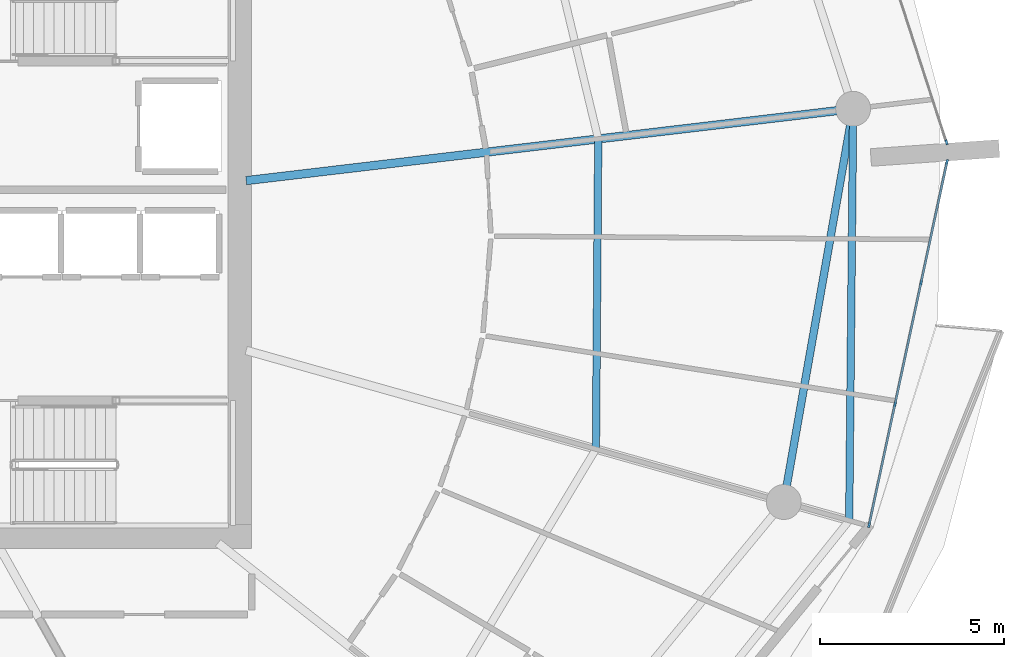
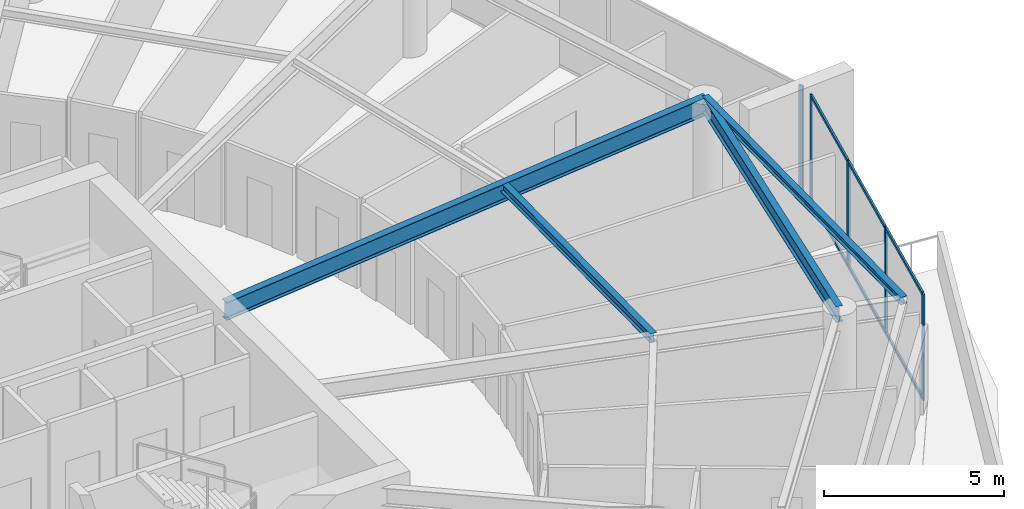
# One storey, part 10 of 30: 11 members, 4 beams, 2 elements without a shape of their own.
"""IFC4 building model written with IfcOpenShell, lengths in metres."""

from ifc_helpers import new_model, si_unit, direction, frame, origin, origin_2d, place, context, subcontext, project, spatial, rectangle, i_section, extrude, material, layer, layer_set, material_profile, profile_set, type_object, element, aggregate, save


model = new_model("IFC4")

# Units and contexts
model_context = context("Model", 3, precision=1e-05, world=origin(), true_north=direction((0.0, 1.0)))
body_context = subcontext(model_context, "Body", "Model", "MODEL_VIEW")
ifc_project = project(units=[si_unit("LENGTHUNIT", "METRE"), si_unit("AREAUNIT", "SQUARE_METRE"), si_unit("VOLUMEUNIT", "CUBIC_METRE"), si_unit("PLANEANGLEUNIT", "RADIAN"), si_unit("MASSUNIT", "GRAM", prefix="KILO")], contexts=[model_context])

# Site, building, storey
site_placement = place(None, origin())
site = spatial("IfcSite", under=ifc_project, at=site_placement, CompositionType="ELEMENT")
building_placement = place(site_placement, origin())
building = spatial("IfcBuilding", under=site, at=building_placement, Name="Kazma Halo Residences", CompositionType="ELEMENT")
storey_placement = place(building_placement, frame((0.0, 0.0, 255.949951171875)))
storey = spatial("IfcBuildingStorey", under=building, at=storey_placement, Name="L64", CompositionType="ELEMENT", Elevation=255.949951171875)

# Beams
ifc_material_1 = material(Name="Steel S355", Category="steel")
ifc_material_profile_1 = material_profile(ifc_material_1, i_section(OverallWidth=0.201904296875, OverallDepth=0.2470703125, WebThickness=0.00732421875, FlangeThickness=0.010986328125, FilletRadius=0.011962890625, at=origin_2d()), Name="W250x49.1")
ifc_profile_set_1 = profile_set([ifc_material_profile_1], Name="Steel S355")
beam_type_1 = type_object("IfcBeamType", Name="BM-BAL-CANT", PredefinedType="BEAM", material=ifc_profile_set_1)
beam_1_placement = place(storey_placement, frame((75.971435546875, 34.111083984375, 3.466552734375), z_axis=(0.009645503464, 0.999953481049, 0.0), x_axis=(-0.999953481049, 0.009645503464, 0.0)))
element("IfcBeam", 1, at=beam_1_placement, inside=storey, type_object=beam_type_1, Name="L64 wave-balcony tie beam 15", PredefinedType="BEAM", context=body_context, shape_type="SweptSolid", body=[
    extrude(i_section(OverallWidth=0.201904296875, OverallDepth=0.2470703125, WebThickness=0.00732421875, FlangeThickness=0.010986328125, FilletRadius=0.011962890625, at=origin_2d()), origin(), (0.0, 0.0, 1.0), 11.212890625),
])
ifc_material_profile_2 = material_profile(ifc_material_1, i_section(OverallWidth=0.22802734375, OverallDepth=0.60791015625, WebThickness=0.01123046875, FlangeThickness=0.017333984375, FilletRadius=0.01806640625, at=origin_2d()), Name="W610x113")
ifc_profile_set_2 = profile_set([ifc_material_profile_2], Name="Steel S355")
beam_type_2 = type_object("IfcBeamType", Name="BM-RAD-W610", PredefinedType="BEAM", material=ifc_profile_set_2)
beam_2_placement = place(storey_placement, frame((59.550048828125, 43.366943359375, 3.2861328125), z_axis=(0.993067455077, 0.117545861975, 0.0), x_axis=(-0.117545861975, 0.993067455077, 0.0)))
element("IfcBeam", 2, at=beam_2_placement, inside=storey, type_object=beam_type_2, Name="L64 radial floor beam 16", PredefinedType="BEAM", context=body_context, shape_type="SweptSolid", body=[
    extrude(i_section(OverallWidth=0.22802734375, OverallDepth=0.60791015625, WebThickness=0.01123046875, FlangeThickness=0.017333984375, FilletRadius=0.01806640625, at=origin_2d()), origin(), (0.0, 0.0, 1.0), 16.64501953125),
])
ifc_material_profile_3 = material_profile(ifc_material_1, i_section(OverallWidth=0.202880859375, OverallDepth=0.302978515625, WebThickness=0.007568359375, FlangeThickness=0.01318359375, FilletRadius=0.013916015625, at=origin_2d()), Name="W310x60")
ifc_profile_set_3 = profile_set([ifc_material_profile_3], Name="Steel S355")
beam_type_3 = type_object("IfcBeamType", Name="BM-SEC-W310A", PredefinedType="JOIST", material=ifc_profile_set_3)
beam_3_placement = place(storey_placement, frame((69.074462890625, 36.056396484375, 3.4384765625), z_axis=(0.007429258426, 0.999972402679, 0.0), x_axis=(-0.999972402679, 0.007429258426, 0.0)))
element("IfcBeam", 3, at=beam_3_placement, inside=storey, type_object=beam_type_3, Name="L64 circumferential floor joist 15", PredefinedType="JOIST", context=body_context, shape_type="SweptSolid", body=[
    extrude(i_section(OverallWidth=0.202880859375, OverallDepth=0.302978515625, WebThickness=0.007568359375, FlangeThickness=0.01318359375, FilletRadius=0.013916015625, at=origin_2d()), origin(), (0.0, 0.0, 1.0), 8.445556640625),
])
ifc_material_profile_4 = material_profile(ifc_material_1, i_section(OverallWidth=0.208984375, OverallDepth=0.532958984375, WebThickness=0.01025390625, FlangeThickness=0.015625, FilletRadius=0.01611328125, at=origin_2d()), Name="W530x92")
ifc_profile_set_4 = profile_set([ifc_material_profile_4], Name="Steel S355")
beam_type_4 = type_object("IfcBeamType", Name="BM-SPN-W530", PredefinedType="BEAM", material=ifc_profile_set_4)
beam_4_placement = place(storey_placement, frame((74.19091796875, 34.61328125, 3.323486328125), z_axis=(0.173663672311, 0.984805020763, 0.0), x_axis=(-0.984805020763, 0.173663672311, 0.0)))
element("IfcBeam", 4, at=beam_4_placement, inside=storey, type_object=beam_type_4, Name="L64 perimeter ring beam 15", PredefinedType="BEAM", context=body_context, shape_type="SweptSolid", body=[
    extrude(i_section(OverallWidth=0.208984375, OverallDepth=0.532958984375, WebThickness=0.01025390625, FlangeThickness=0.015625, FilletRadius=0.01611328125, at=origin_2d()), origin(), (0.0, 0.0, 1.0), 10.87548828125),
])

# Curtain wall, members
ifc_material_2 = material(Name="Aluminium AW-6063 T6 and Triple-Silver Low-E Glass", Category="aluminium")
ifc_layer = layer(ifc_material_2, 0.139892578125)
ifc_layer_set = layer_set([ifc_layer], Name="Aluminium AW-6063 T6 and Triple-Silver Low-E Glass")
curtain_wall_type = type_object("IfcCurtainWallType", Name="CW-SYS-5", PredefinedType="NOTDEFINED", material=ifc_layer_set)
curtain_wall_1_placement = place(storey_placement, origin())
curtain_wall_1 = element("IfcCurtainWall", 5, at=curtain_wall_1_placement, inside=storey, type_object=curtain_wall_type, Name="L64 unitised curtain wall B15", PredefinedType="NOTDEFINED")
ifc_material_3 = material(Name="Aluminium AW-6063 T6", Category="aluminium")
ifc_material_profile_5 = material_profile(ifc_material_3, rectangle(XDim=0.06005859375, YDim=0.139892578125, at=origin_2d()), Name="CWM-60x140")
ifc_profile_set_5 = profile_set([ifc_material_profile_5], Name="Aluminium AW-6063 T6")
member_type_1 = type_object("IfcMemberType", Name="CW-SYS-5-MUL", PredefinedType="MULLION", material=ifc_profile_set_5)
member_1_placement = place(storey_placement, frame((76.514892578125, 33.989013671875, 0.0), z_axis=(0.0, 0.0, 1.0), x_axis=(-0.97777491373, 0.209657382603, 0.0)))
member_1 = element("IfcMember", 6, at=member_1_placement, type_object=member_type_1, Name="CWS-5 mullion 1", PredefinedType="MULLION", context=body_context, shape_type="SweptSolid", body=[
    extrude(rectangle(XDim=0.06005859375, YDim=0.139892578125, at=origin_2d()), origin(), (0.0, 0.0, 1.0), 3.590087890625),
])
member_2_placement = place(storey_placement, frame((77.218994140625, 37.2734375, 0.0), z_axis=(0.0, 0.0, 1.0), x_axis=(-0.97777491373, 0.209657382603, 0.0)))
member_2 = element("IfcMember", 7, at=member_2_placement, type_object=member_type_1, Name="CWS-5 mullion 2", PredefinedType="MULLION", context=body_context, shape_type="SweptSolid", body=[
    extrude(rectangle(XDim=0.06005859375, YDim=0.139892578125, at=origin_2d()), origin(), (0.0, 0.0, 1.0), 3.590087890625),
])
member_3_placement = place(storey_placement, frame((77.9296875, 40.587158203125, 0.0), z_axis=(0.0, 0.0, 1.0), x_axis=(-0.97777491373, 0.209657382603, 0.0)))
member_3 = element("IfcMember", 8, at=member_3_placement, type_object=member_type_1, Name="CWS-5 mullion 3", PredefinedType="MULLION", context=body_context, shape_type="SweptSolid", body=[
    extrude(rectangle(XDim=0.06005859375, YDim=0.139892578125, at=origin_2d()), origin(), (0.0, 0.0, 1.0), 3.590087890625),
])
member_4_placement = place(storey_placement, frame((78.6337890625, 43.87158203125, 0.0), z_axis=(0.0, 0.0, 1.0), x_axis=(-0.97777491373, 0.209657382603, 0.0)))
member_4 = element("IfcMember", 9, at=member_4_placement, type_object=member_type_1, Name="CWS-5 mullion 4", PredefinedType="MULLION", context=body_context, shape_type="SweptSolid", body=[
    extrude(rectangle(XDim=0.06005859375, YDim=0.139892578125, at=origin_2d()), origin(), (0.0, 0.0, 1.0), 3.590087890625),
])

# Curtain wall, member
curtain_wall_2_placement = place(storey_placement, origin())
curtain_wall_2 = element("IfcCurtainWall", 10, at=curtain_wall_2_placement, inside=storey, type_object=curtain_wall_type, Name="L64 unitised curtain wall B16", PredefinedType="NOTDEFINED")
member_5_placement = place(storey_placement, frame((78.622802734375, 44.412353515625, 0.0), z_axis=(0.0, 0.0, 1.0), x_axis=(-0.951058464359, -0.309010998786, 0.0)))
member_5 = element("IfcMember", 11, at=member_5_placement, type_object=member_type_1, Name="CWS-5 mullion 1", PredefinedType="MULLION", context=body_context, shape_type="SweptSolid", body=[
    extrude(rectangle(XDim=0.06005859375, YDim=0.139892578125, at=origin_2d()), origin(), (0.0, 0.0, 1.0), 3.590087890625),
])
aggregate(curtain_wall_2, [member_5])

# Member
ifc_material_profile_6 = material_profile(ifc_material_3, rectangle(XDim=0.06005859375, YDim=0.10498046875, at=origin_2d()), Name="CWT-60x105")
ifc_profile_set_6 = profile_set([ifc_material_profile_6], Name="Aluminium AW-6063 T6")
member_type_2 = type_object("IfcMemberType", Name="CW-SYS-5-TRN", PredefinedType="USERDEFINED", material=ifc_profile_set_6)
member_6_placement = place(storey_placement, frame((76.52099609375, 34.0185546875, 0.030029296875), z_axis=(0.209660493552, 0.977774246666, 0.0), x_axis=(-0.977774246666, 0.209660493552, 0.0)))
member_6 = element("IfcMember", 12, at=member_6_placement, type_object=member_type_2, Name="CWS-5 transom 1.1", ObjectType="TRANSOM", PredefinedType="USERDEFINED", context=body_context, shape_type="SweptSolid", body=[
    extrude(rectangle(XDim=0.06005859375, YDim=0.10498046875, at=origin_2d()), origin(), (0.0, 0.0, 1.0), 3.298828125),
])

member_7_placement = place(storey_placement, frame((76.52099609375, 34.0185546875, 3.56005859375), z_axis=(0.209660493552, 0.977774246666, 0.0), x_axis=(-0.977774246666, 0.209660493552, 0.0)))
member_7 = element("IfcMember", 13, at=member_7_placement, type_object=member_type_2, Name="CWS-5 transom 1.2", ObjectType="TRANSOM", PredefinedType="USERDEFINED", context=body_context, shape_type="SweptSolid", body=[
    extrude(rectangle(XDim=0.06005859375, YDim=0.10498046875, at=origin_2d()), origin(), (0.0, 0.0, 1.0), 3.298828125),
])

member_8_placement = place(storey_placement, frame((77.225341796875, 37.302734375, 0.030029296875), z_axis=(0.209664309019, 0.977773428522, 0.0), x_axis=(-0.977773428522, 0.209664309019, 0.0)))
member_8 = element("IfcMember", 14, at=member_8_placement, type_object=member_type_2, Name="CWS-5 transom 2.1", ObjectType="TRANSOM", PredefinedType="USERDEFINED", context=body_context, shape_type="SweptSolid", body=[
    extrude(rectangle(XDim=0.06005859375, YDim=0.10498046875, at=origin_2d()), origin(), (0.0, 0.0, 1.0), 3.3291015625),
])

member_9_placement = place(storey_placement, frame((77.225341796875, 37.302734375, 3.56005859375), z_axis=(0.209664309019, 0.977773428522, 0.0), x_axis=(-0.977773428522, 0.209664309019, 0.0)))
member_9 = element("IfcMember", 15, at=member_9_placement, type_object=member_type_2, Name="CWS-5 transom 2.2", ObjectType="TRANSOM", PredefinedType="USERDEFINED", context=body_context, shape_type="SweptSolid", body=[
    extrude(rectangle(XDim=0.06005859375, YDim=0.10498046875, at=origin_2d()), origin(), (0.0, 0.0, 1.0), 3.3291015625),
])

member_10_placement = place(storey_placement, frame((77.935791015625, 40.616455078125, 0.030029296875), z_axis=(0.209645323239, 0.977777499457, 0.0), x_axis=(-0.977777499457, 0.209645323239, 0.0)))
member_10 = element("IfcMember", 16, at=member_10_placement, type_object=member_type_2, Name="CWS-5 transom 3.1", ObjectType="TRANSOM", PredefinedType="USERDEFINED", context=body_context, shape_type="SweptSolid", body=[
    extrude(rectangle(XDim=0.06005859375, YDim=0.10498046875, at=origin_2d()), origin(), (0.0, 0.0, 1.0), 3.299072265625),
])

member_11_placement = place(storey_placement, frame((77.935791015625, 40.616455078125, 3.56005859375), z_axis=(0.209645323239, 0.977777499457, 0.0), x_axis=(-0.977777499457, 0.209645323239, 0.0)))
member_11 = element("IfcMember", 17, at=member_11_placement, type_object=member_type_2, Name="CWS-5 transom 3.2", ObjectType="TRANSOM", PredefinedType="USERDEFINED", context=body_context, shape_type="SweptSolid", body=[
    extrude(rectangle(XDim=0.06005859375, YDim=0.10498046875, at=origin_2d()), origin(), (0.0, 0.0, 1.0), 3.299072265625),
])

aggregate(curtain_wall_1, [member_1, member_2, member_3, member_4, member_6, member_7, member_8, member_9, member_10, member_11])

save(model, "model.ifc")
